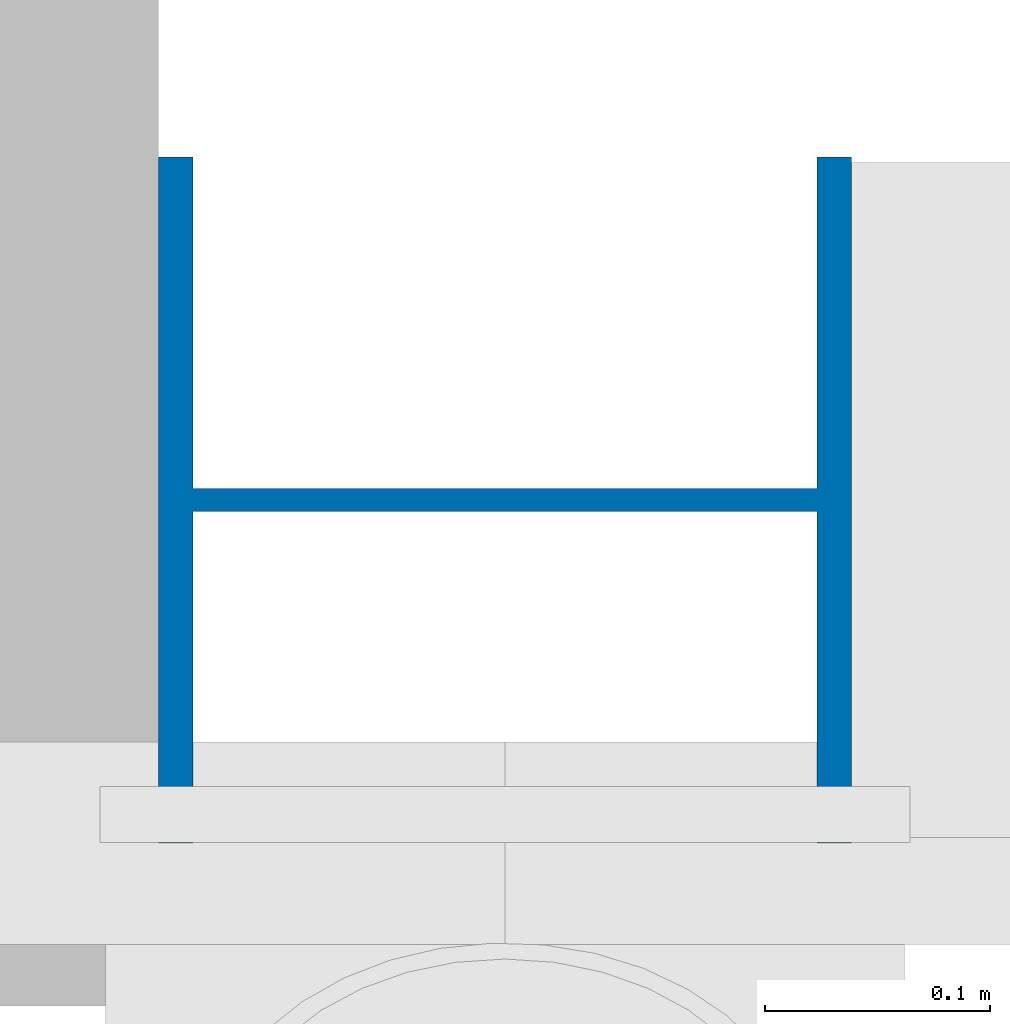
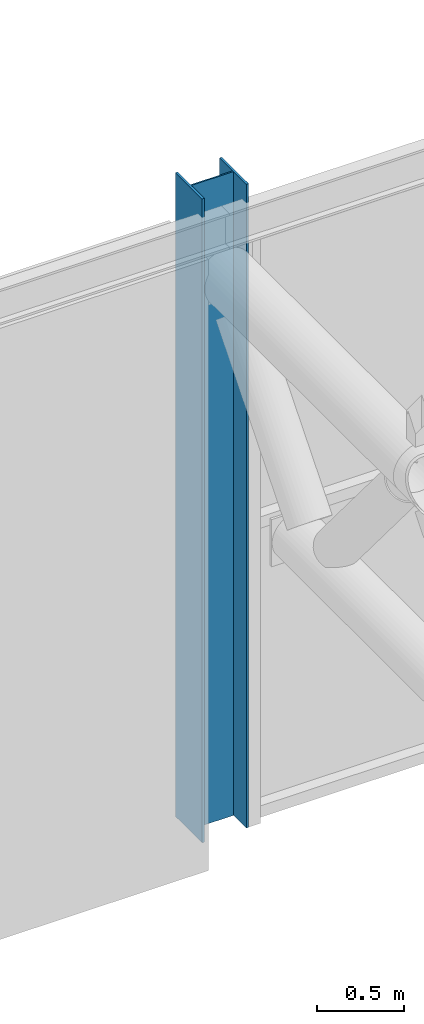
# One storey, part 9 of 138: 1 column.
"""IFC4 building model written with IfcOpenShell, lengths in metres."""

import ifcopenshell
import ifcopenshell.guid

model = None  # the IFC model being written
_history = None  # IfcOwnerHistory: only IFC2X3 demands one
_inside = {}  # id of a spatial element -> (the spatial element, [elements in it])
_under = {}  # id of a project, library or spatial element -> (it, [spatial elements below it])
_declared = {}  # id of a project -> (the project, [libraries it declares])
_typed = {}  # id of a type object -> (the type object, [elements of that type])
_made_of = {}  # id of a material, layer set ... -> (it, [elements and type objects made of it])


def new_model(schema):
    """Start an empty IFC model of exactly this schema.

    Asked for "IFC4X3", IfcOpenShell would pick the latest addendum, in which some entities
    have other attributes; the version numbers below select the first issue.
    IFC2X3 requires an IfcOwnerHistory on every rooted entity: one is made here for all.
    """
    global model, _history
    if schema == "IFC4X3":
        model = ifcopenshell.file(schema_version=(4, 3, 0, 0))
    else:
        model = ifcopenshell.file(schema=schema)
    _inside.clear()
    _under.clear()
    _declared.clear()
    _typed.clear()
    _made_of.clear()
    _history = None
    if model.schema == "IFC2X3":
        org = make("IfcOrganization", Name="unknown")
        user = make(
            "IfcPersonAndOrganization",
            ThePerson=make("IfcPerson", FamilyName="unknown"),
            TheOrganization=org,
        )
        app = make(
            "IfcApplication",
            ApplicationDeveloper=org,
            Version="unknown",
            ApplicationFullName="unknown",
            ApplicationIdentifier="unknown",
        )
        _history = make(
            "IfcOwnerHistory",
            OwningUser=user,
            OwningApplication=app,
            ChangeAction="ADDED",
            CreationDate=0,
        )
    return model


def make(cls, **values):
    """One entity of the class cls with the attributes given. An attribute that is None is left unset."""
    return model.create_entity(
        cls, **{name: value for name, value in values.items() if value is not None}
    )


def rooted(cls, **values):
    """An entity with a GlobalId (a new one), such as an element, a storey or a relation."""
    return make(cls, GlobalId=ifcopenshell.guid.new(), OwnerHistory=_history, **values)


def si_unit(unit_type, name, prefix=None):
    """IfcSIUnit, for example si_unit("LENGTHUNIT", "METRE", prefix="MILLI")."""
    return make("IfcSIUnit", UnitType=unit_type, Prefix=prefix, Name=name)


def assignment(units):
    """IfcUnitAssignment: the units of a project."""
    return None if units is None else make("IfcUnitAssignment", Units=units)


def point(xyz):
    """IfcCartesianPoint."""
    return None if xyz is None else make("IfcCartesianPoint", Coordinates=xyz)


def direction(xyz):
    """IfcDirection."""
    return None if xyz is None else make("IfcDirection", DirectionRatios=xyz)


def frame(location, z_axis=None, x_axis=None):
    """IfcAxis2Placement3D, a coordinate frame: its origin and axes. An axis left out is left unset."""
    return make(
        "IfcAxis2Placement3D",
        Location=point(location),
        Axis=direction(z_axis),
        RefDirection=direction(x_axis),
    )


def frame_2d(location, x_axis=None):
    """IfcAxis2Placement2D, a coordinate frame in the plane: its origin and x axis."""
    return make(
        "IfcAxis2Placement2D", Location=point(location), RefDirection=direction(x_axis)
    )


def origin():
    """The frame at (0, 0, 0) with its axes left unset."""
    return frame((0.0, 0.0, 0.0))


def origin_2d():
    """The frame at (0, 0) in the plane with its x axis left unset."""
    return frame_2d((0.0, 0.0))


def place(relative_to, where):
    """IfcLocalPlacement: puts the frame where relative to a parent placement (None: the world)."""
    return make(
        "IfcLocalPlacement", PlacementRelTo=relative_to, RelativePlacement=where
    )


def context(
    kind, dimensions, precision=None, world=None, true_north=None, identifier=None
):
    """IfcGeometricRepresentationContext, for example the 3D "Model" context."""
    return make(
        "IfcGeometricRepresentationContext",
        ContextIdentifier=identifier,
        ContextType=kind,
        CoordinateSpaceDimension=dimensions,
        Precision=precision,
        WorldCoordinateSystem=world,
        TrueNorth=true_north,
    )


def subcontext(parent, identifier, kind, view, scale=None):
    """IfcGeometricRepresentationSubContext, for example "Body" below "Model"."""
    return make(
        "IfcGeometricRepresentationSubContext",
        ContextIdentifier=identifier,
        ContextType=kind,
        ParentContext=parent,
        TargetScale=scale,
        TargetView=view,
    )


def project(units=None, contexts=None):
    """IfcProject with its units and contexts."""
    return rooted(
        "IfcProject",
        Name="project",
        RepresentationContexts=contexts,
        UnitsInContext=assignment(units),
    )


def spatial(cls, under=None, at=None, **own):
    """A site, building, storey or space (cls), placed at a placement, below another one or the project."""
    s = rooted(cls, ObjectPlacement=at, **own)
    if under is not None:
        _under.setdefault(under.id(), (under, []))[1].append(s)
    return s


def profile(cls, at=None, kind="AREA", **sizes):
    """A parametric profile (cls). Its sizes go by their IFC names, for example OverallWidth=200.0."""
    return make(cls, ProfileType=kind, Position=at, **sizes)


def i_section(**sizes):
    """IfcIShapeProfileDef."""
    return profile("IfcIShapeProfileDef", **sizes)


def extrude(swept, where, along, depth):
    """IfcExtrudedAreaSolid: the profile swept, set in the frame where, extruded along a direction by depth."""
    return make(
        "IfcExtrudedAreaSolid",
        SweptArea=swept,
        Position=where,
        ExtrudedDirection=direction(along),
        Depth=depth,
    )


def shape(context_of_items, identifier, shape_type, items):
    """IfcShapeRepresentation: the items that make up one representation, for example the "Body"."""
    return make(
        "IfcShapeRepresentation",
        ContextOfItems=context_of_items,
        RepresentationIdentifier=identifier,
        RepresentationType=shape_type,
        Items=items,
    )


def material(Name=None, Category=None):
    """IfcMaterial."""
    return make("IfcMaterial", Name=Name, Category=Category)


def material_profile(
    of_material, cross_section, Name=None, Category=None, Priority=None
):
    """IfcMaterialProfile: a cross section and its material."""
    return make(
        "IfcMaterialProfile",
        Name=Name,
        Material=of_material,
        Profile=cross_section,
        Priority=Priority,
        Category=Category,
    )


def profile_set(profiles, Name=None, composite=None):
    """IfcMaterialProfileSet."""
    return make(
        "IfcMaterialProfileSet",
        Name=Name,
        MaterialProfiles=profiles,
        CompositeProfile=composite,
    )


def made_of(thing, what):
    """Note that an element or type object is made of a material, layer set ...; save() writes the relation."""
    if what is not None:
        _made_of.setdefault(what.id(), (what, []))[1].append(thing)
    return thing


def type_object(cls, material=None, **own):
    """A type object (cls), such as IfcWallType, which elements share."""
    return made_of(rooted(cls, **own), material)


def element(
    cls,
    number,
    at=None,
    inside=None,
    cuts=None,
    type_object=None,
    material=None,
    context=None,
    identifier="Body",
    shape_type=None,
    held_by="IfcProductDefinitionShape",
    body=None,
    shapes=None,
    **own,
):
    """One element of the class cls, such as IfcWall. Its Tag is "e" and its number.

    at: its placement. inside: the storey or other place that contains it. cuts: it is an
    opening in that element (IfcRelVoidsElement). A single representation is given by context,
    identifier, shape_type and body (its items); several are given by shapes. held_by: the class
    of the entity that holds the representations. save() writes the other relations.
    """
    e = rooted(cls, Tag="e%d" % number, ObjectPlacement=at, **own)
    if body is not None:
        shapes = [shape(context, identifier, shape_type, body)]
    if shapes is not None:
        e.Representation = make(held_by, Representations=shapes)
    if inside is not None:
        _inside.setdefault(inside.id(), (inside, []))[1].append(e)
    if cuts is not None:
        rooted(
            "IfcRelVoidsElement", RelatingBuildingElement=cuts, RelatedOpeningElement=e
        )
    if type_object is not None:
        _typed.setdefault(type_object.id(), (type_object, []))[1].append(e)
    return made_of(e, material)


def aggregate(whole, parts):
    """IfcRelAggregates: a whole, such as a stair, and the parts it consists of."""
    return rooted("IfcRelAggregates", RelatingObject=whole, RelatedObjects=parts)


def save(model, path):
    """Write the relations noted so far, then the file.

    IfcRelAggregates (storeys below a building ...), IfcRelContainedInSpatialStructure (elements
    in a storey), IfcRelDefinesByType, IfcRelAssociatesMaterial and IfcRelDeclares: one each for
    every whole, place, type object, material and project.
    """
    for whole, parts in _under.values():
        aggregate(whole, parts)
    for where, things in _inside.values():
        rooted(
            "IfcRelContainedInSpatialStructure",
            RelatedElements=things,
            RelatingStructure=where,
        )
    for kind, things in _typed.values():
        rooted("IfcRelDefinesByType", RelatedObjects=things, RelatingType=kind)
    for what, things in _made_of.values():
        rooted("IfcRelAssociatesMaterial", RelatedObjects=things, RelatingMaterial=what)
    for by, libraries in _declared.values():
        rooted("IfcRelDeclares", RelatingContext=by, RelatedDefinitions=libraries)
    model.write(path)


model = new_model("IFC4")

# Units and contexts
model_context = context("Model", 3, precision=1e-05, world=origin(), true_north=direction((0.0, 1.0)))
body_context = subcontext(model_context, "Body", "Model", "MODEL_VIEW")
ifc_project = project(units=[si_unit("LENGTHUNIT", "METRE"), si_unit("AREAUNIT", "SQUARE_METRE"), si_unit("VOLUMEUNIT", "CUBIC_METRE"), si_unit("PLANEANGLEUNIT", "RADIAN"), si_unit("MASSUNIT", "GRAM", prefix="KILO")], contexts=[model_context])

# Site, building, storey
site_placement = place(None, origin())
site = spatial("IfcSite", under=ifc_project, at=site_placement, CompositionType="ELEMENT")
building_placement = place(site_placement, origin())
building = spatial("IfcBuilding", under=site, at=building_placement, Name="Corbel Yard City Hall", CompositionType="ELEMENT")
storey_placement = place(building_placement, frame((0.0, 0.0, 10.5)))
storey = spatial("IfcBuildingStorey", under=building, at=storey_placement, Name="L02", CompositionType="ELEMENT", Elevation=10.5)

# Column
ifc_material = material(Name="Steel Grade 300 (300 MPa yield)", Category="steel")
ifc_material_profile = material_profile(ifc_material, i_section(OverallWidth=0.304931640625, OverallDepth=0.30810546875, WebThickness=0.010009765625, FlangeThickness=0.015380859375, at=origin_2d()), Name="310UC96.8")
ifc_profile_set = profile_set([ifc_material_profile], Name="Steel Grade 300 (300 MPa yield)")
column_type = type_object("IfcColumnType", Name="Column 310UC96.8", PredefinedType="COLUMN", material=ifc_profile_set)
column_placement = place(storey_placement, frame((126.0, 27.0, 0.0), z_axis=(0.0, 0.0, 1.0), x_axis=(0.0, 1.0, 0.0)))
element("IfcColumn", 1, at=column_placement, inside=storey, type_object=column_type, Name="Column 310UC96.8 D/15 L02", PredefinedType="COLUMN", context=body_context, shape_type="SweptSolid", body=[
    extrude(i_section(OverallWidth=0.304931640625, OverallDepth=0.30810546875, WebThickness=0.010009765625, FlangeThickness=0.015380859375, at=origin_2d()), origin(), (0.0, 0.0, 1.0), 4.5),
])

save(model, "model.ifc")
